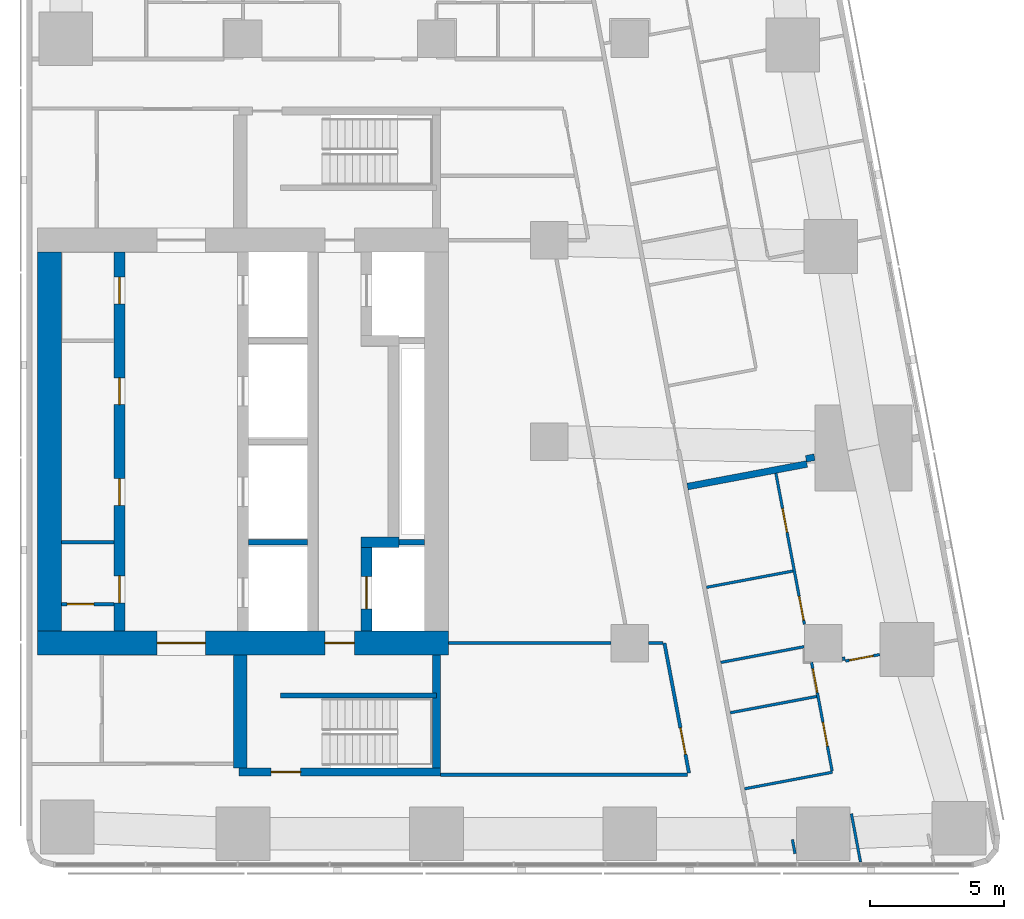
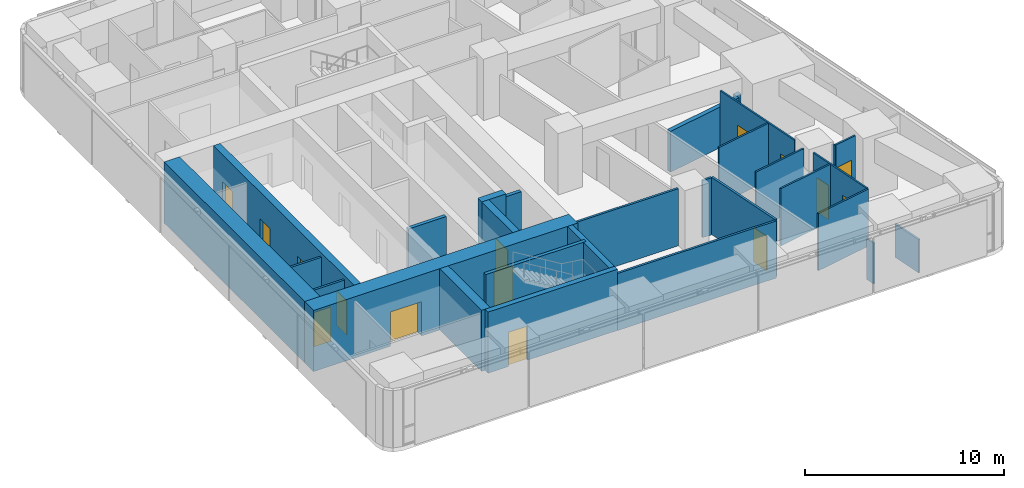
# One storey, part 5 of 10: 29 walls, 15 doors, 15 openings.
"""IFC4 building model written with IfcOpenShell, lengths in metres."""

from ifc_helpers import new_model, si_unit, direction, frame, frame_2d, origin, place, context, subcontext, project, spatial, rectangle, extrude, material, layer, layer_set, type_object, element, fill, save


model = new_model("IFC4")

# Units and contexts
model_context = context("Model", 3, precision=1e-05, world=origin(), true_north=direction((0.0, 1.0)))
body_context = subcontext(model_context, "Body", "Model", "MODEL_VIEW")
ifc_project = project(units=[si_unit("LENGTHUNIT", "METRE"), si_unit("AREAUNIT", "SQUARE_METRE"), si_unit("VOLUMEUNIT", "CUBIC_METRE"), si_unit("PLANEANGLEUNIT", "RADIAN"), si_unit("MASSUNIT", "GRAM", prefix="KILO")], contexts=[model_context])

# Site, building, storey
site_placement = place(None, origin())
site = spatial("IfcSite", under=ifc_project, at=site_placement, CompositionType="ELEMENT")
building_placement = place(site_placement, origin())
building = spatial("IfcBuilding", under=site, at=building_placement, Name="Sheger Commons Tower", CompositionType="ELEMENT")
storey_placement = place(building_placement, frame((0.0, 0.0, 289.10009765625)))
storey = spatial("IfcBuildingStorey", under=building, at=storey_placement, Name="L74", CompositionType="ELEMENT", Elevation=289.10009765625)

# Wall, openings, doors
ifc_material_1 = material(Name="Concrete C50/60", Category="concrete")
ifc_layer_1 = layer(ifc_material_1, 0.39990234375)
ifc_layer_set_1 = layer_set([ifc_layer_1], Name="CORE INNER WALL 400")
wall_type_1 = type_object("IfcWallType", Name="CORE INNER WALL 400", PredefinedType="SHEAR", material=ifc_layer_set_1)
wall_1_placement = place(storey_placement, frame((17.0, 15.449951171875, 0.0), z_axis=(0.0, 0.0, 1.0), x_axis=(0.0, 1.0, 0.0)))
wall_1 = element("IfcWall", 1, at=wall_1_placement, inside=storey, type_object=wall_type_1, Name="Core inner wall A L74", PredefinedType="SHEAR", context=body_context, shape_type="SweptSolid", body=[
    extrude(rectangle(XDim=14.10009765625, YDim=0.39990234375, at=frame_2d((7.050048828125, 0.0))), origin(), (0.0, 0.0, 1.0), 3.75),
])
opening_1_placement = place(wall_1_placement, frame((1.050048828125, 0.0, 0.0)))
opening_1 = element("IfcOpeningElement", 2, at=opening_1_placement, cuts=wall_1, Name="Opening D4", PredefinedType="OPENING", context=body_context, shape_type="SweptSolid", body=[
    extrude(rectangle(XDim=1.0, YDim=2.10009765625, at=frame_2d((0.5, 1.050048828125))), frame((0.0, 0.2099609375, 0.0), z_axis=(0.0, -1.0, 0.0), x_axis=(1.0, 0.0, 0.0)), (0.0, 0.0, 1.0), 0.419921875),
])
opening_2_placement = place(wall_1_placement, frame((4.675048828125, 0.0, 0.0)))
opening_2 = element("IfcOpeningElement", 3, at=opening_2_placement, cuts=wall_1, Name="Opening D4", PredefinedType="OPENING", context=body_context, shape_type="SweptSolid", body=[
    extrude(rectangle(XDim=1.0, YDim=2.10009765625, at=frame_2d((0.5, 1.050048828125))), frame((0.0, 0.2099609375, 0.0), z_axis=(0.0, -1.0, 0.0), x_axis=(1.0, 0.0, 0.0)), (0.0, 0.0, 1.0), 0.419921875),
])
opening_3_placement = place(wall_1_placement, frame((8.425048828125, 0.0, 0.0)))
opening_3 = element("IfcOpeningElement", 4, at=opening_3_placement, cuts=wall_1, Name="Opening D4", PredefinedType="OPENING", context=body_context, shape_type="SweptSolid", body=[
    extrude(rectangle(XDim=1.0, YDim=2.10009765625, at=frame_2d((0.5, 1.050048828125))), frame((0.0, 0.2099609375, 0.0), z_axis=(0.0, -1.0, 0.0), x_axis=(1.0, 0.0, 0.0)), (0.0, 0.0, 1.0), 0.419921875),
])
opening_4_placement = place(wall_1_placement, frame((12.175048828125, 0.0, 0.0)))
opening_4 = element("IfcOpeningElement", 5, at=opening_4_placement, cuts=wall_1, Name="Opening D4", PredefinedType="OPENING", context=body_context, shape_type="SweptSolid", body=[
    extrude(rectangle(XDim=1.0, YDim=2.10009765625, at=frame_2d((0.5, 1.050048828125))), frame((0.0, 0.2099609375, 0.0), z_axis=(0.0, -1.0, 0.0), x_axis=(1.0, 0.0, 0.0)), (0.0, 0.0, 1.0), 0.419921875),
])
ifc_material_2 = material(Name="Steel door set, fire rated", Category="steel")
door_type_1 = type_object("IfcDoorType", Name="SERVICE DOOR 1000x2100", OperationType="NOTDEFINED", PredefinedType="DOOR", material=ifc_material_2)
door_1_placement = place(opening_1_placement, origin())
door_1 = element("IfcDoor", 6, at=door_1_placement, inside=storey, type_object=door_type_1, Name="IT and telecom room door", OperationType="SINGLE_SWING_LEFT", OverallHeight=2.10009765625, OverallWidth=1.0, PredefinedType="DOOR", context=body_context, shape_type="SweptSolid", body=[
    extrude(rectangle(XDim=1.0, YDim=2.10009765625, at=frame_2d((0.5, 1.050048828125))), frame((0.0, 0.02490234375, 0.0), z_axis=(0.0, -1.0, 0.0), x_axis=(1.0, 0.0, 0.0)), (0.0, 0.0, 1.0), 0.050048828125),
])
fill(opening_1, door_1)
door_2_placement = place(opening_2_placement, origin())
door_2 = element("IfcDoor", 7, at=door_2_placement, inside=storey, type_object=door_type_1, Name="Recycling store door", OperationType="SINGLE_SWING_LEFT", OverallHeight=2.10009765625, OverallWidth=1.0, PredefinedType="DOOR", context=body_context, shape_type="SweptSolid", body=[
    extrude(rectangle(XDim=1.0, YDim=2.10009765625, at=frame_2d((0.5, 1.050048828125))), frame((0.0, 0.02490234375, 0.0), z_axis=(0.0, -1.0, 0.0), x_axis=(1.0, 0.0, 0.0)), (0.0, 0.0, 1.0), 0.050048828125),
])
fill(opening_2, door_2)
door_3_placement = place(opening_3_placement, origin())
door_3 = element("IfcDoor", 8, at=door_3_placement, inside=storey, type_object=door_type_1, Name="Recycling store door", OperationType="SINGLE_SWING_RIGHT", OverallHeight=2.10009765625, OverallWidth=1.0, PredefinedType="DOOR", context=body_context, shape_type="SweptSolid", body=[
    extrude(rectangle(XDim=1.0, YDim=2.10009765625, at=frame_2d((0.5, 1.050048828125))), frame((0.0, 0.02490234375, 0.0), z_axis=(0.0, -1.0, 0.0), x_axis=(1.0, 0.0, 0.0)), (0.0, 0.0, 1.0), 0.050048828125),
])
fill(opening_3, door_3)
door_4_placement = place(opening_4_placement, origin())
door_4 = element("IfcDoor", 9, at=door_4_placement, inside=storey, type_object=door_type_1, Name="Staff WC door", OperationType="SINGLE_SWING_RIGHT", OverallHeight=2.10009765625, OverallWidth=1.0, PredefinedType="DOOR", context=body_context, shape_type="SweptSolid", body=[
    extrude(rectangle(XDim=1.0, YDim=2.10009765625, at=frame_2d((0.5, 1.050048828125))), frame((0.0, 0.02490234375, 0.0), z_axis=(0.0, -1.0, 0.0), x_axis=(1.0, 0.0, 0.0)), (0.0, 0.0, 1.0), 0.050048828125),
])
fill(opening_4, door_4)

# Wall, opening, door
wall_2_placement = place(storey_placement, frame((26.199951171875, 15.449951171875, 0.0), z_axis=(0.0, 0.0, 1.0), x_axis=(0.0, 1.0, 0.0)))
wall_2 = element("IfcWall", 10, at=wall_2_placement, inside=storey, type_object=wall_type_1, Name="Core inner wall F L74", PredefinedType="SHEAR", context=body_context, shape_type="SweptSolid", body=[
    extrude(rectangle(XDim=3.10009765625, YDim=0.39990234375, at=frame_2d((1.550048828125, 0.0))), origin(), (0.0, 0.0, 1.0), 3.75),
])
opening_5_placement = place(wall_2_placement, frame((0.824951171875, 0.0, 0.0)))
opening_5 = element("IfcOpeningElement", 11, at=opening_5_placement, cuts=wall_2, Name="Opening LD2", PredefinedType="OPENING", context=body_context, shape_type="SweptSolid", body=[
    extrude(rectangle(XDim=1.199951171875, YDim=2.10009765625, at=frame_2d((0.60009765625, 1.050048828125))), frame((0.0, 0.2099609375, 0.0), z_axis=(0.0, -1.0, 0.0), x_axis=(1.0, 0.0, 0.0)), (0.0, 0.0, 1.0), 0.419921875),
])
ifc_material_3 = material(Name="Steel door set, fire rated", Category="steel")
door_type_2 = type_object("IfcDoorType", Name="FIREFIGHTING LIFT LANDING DOOR 1200x2100", OperationType="DOUBLE_DOOR_SLIDING", PredefinedType="DOOR", material=ifc_material_3)
door_5_placement = place(opening_5_placement, origin())
door_5 = element("IfcDoor", 12, at=door_5_placement, inside=storey, type_object=door_type_2, Name="Lift FL1 landing door", OperationType="DOUBLE_DOOR_SLIDING", OverallHeight=2.10009765625, OverallWidth=1.199951171875, PredefinedType="DOOR", context=body_context, shape_type="SweptSolid", body=[
    extrude(rectangle(XDim=1.199951171875, YDim=2.10009765625, at=frame_2d((0.60009765625, 1.050048828125))), frame((0.0, 0.02490234375, 0.0), z_axis=(0.0, -1.0, 0.0), x_axis=(1.0, 0.0, 0.0)), (0.0, 0.0, 1.0), 0.050048828125),
])
fill(opening_5, door_5)

# Wall
wall_3_placement = place(storey_placement, frame((26.0, 18.75, 0.0), z_axis=(0.0, 0.0, 1.0), x_axis=(1.0, 0.0, 0.0)))
element("IfcWall", 13, at=wall_3_placement, inside=storey, type_object=wall_type_1, Name="Core inner wall F south return L74", PredefinedType="SHEAR", context=body_context, shape_type="SweptSolid", body=[
    extrude(rectangle(XDim=1.39990234375, YDim=0.39990234375, at=frame_2d((0.699951171875, 0.0))), origin(), (0.0, 0.0, 1.0), 3.75),
])

# Wall, openings, doors
ifc_material_4 = material(Name="Concrete C50/60", Category="concrete")
ifc_layer_2 = layer(ifc_material_4, 0.89990234375)
ifc_layer_set_2 = layer_set([ifc_layer_2], Name="CORE WALL 900")
wall_type_2 = type_object("IfcWallType", Name="CORE WALL 900", PredefinedType="SHEAR", material=ifc_layer_set_2)
wall_4_placement = place(storey_placement, frame((13.949951171875, 15.0, 0.0), z_axis=(0.0, 0.0, 1.0), x_axis=(1.0, 0.0, 0.0)))
wall_4 = element("IfcWall", 14, at=wall_4_placement, inside=storey, type_object=wall_type_2, Name="Core wall south L74", PredefinedType="SHEAR", context=body_context, shape_type="SweptSolid", body=[
    extrude(rectangle(XDim=15.300048828125, YDim=0.89990234375, at=frame_2d((7.64990234375, 0.0))), origin(), (0.0, 0.0, 1.0), 3.75),
])
opening_6_placement = place(wall_4_placement, frame((4.449951171875, 0.0, 0.0)))
opening_6 = element("IfcOpeningElement", 15, at=opening_6_placement, cuts=wall_4, Name="Opening D6", PredefinedType="OPENING", context=body_context, shape_type="SweptSolid", body=[
    extrude(rectangle(XDim=1.800048828125, YDim=2.10009765625, at=frame_2d((0.89990234375, 1.050048828125))), frame((0.0, 0.4599609375, 0.0), z_axis=(0.0, -1.0, 0.0), x_axis=(1.0, 0.0, 0.0)), (0.0, 0.0, 1.0), 0.919921875),
])
opening_7_placement = place(wall_4_placement, frame((10.699951171875, 0.0, 0.0)))
opening_7 = element("IfcOpeningElement", 16, at=opening_7_placement, cuts=wall_4, Name="Opening D5", PredefinedType="OPENING", context=body_context, shape_type="SweptSolid", body=[
    extrude(rectangle(XDim=1.10009765625, YDim=2.10009765625, at=frame_2d((0.550048828125, 1.050048828125))), frame((0.0, 0.4599609375, 0.0), z_axis=(0.0, -1.0, 0.0), x_axis=(1.0, 0.0, 0.0)), (0.0, 0.0, 1.0), 0.919921875),
])
ifc_material_5 = material(Name="Steel door set, fire rated", Category="steel")
door_type_3 = type_object("IfcDoorType", Name="LOBBY DOUBLE DOOR 1800x2100", OperationType="DOUBLE_DOOR_SINGLE_SWING", PredefinedType="DOOR", material=ifc_material_5)
door_6_placement = place(opening_6_placement, origin())
door_6 = element("IfcDoor", 17, at=door_6_placement, inside=storey, type_object=door_type_3, Name="Lift lobby door", OperationType="DOUBLE_DOOR_SINGLE_SWING", OverallHeight=2.10009765625, OverallWidth=1.800048828125, PredefinedType="DOOR", context=body_context, shape_type="SweptSolid", body=[
    extrude(rectangle(XDim=1.800048828125, YDim=2.10009765625, at=frame_2d((0.89990234375, 1.050048828125))), frame((0.0, 0.02490234375, 0.0), z_axis=(0.0, -1.0, 0.0), x_axis=(1.0, 0.0, 0.0)), (0.0, 0.0, 1.0), 0.050048828125),
])
fill(opening_6, door_6)
ifc_material_6 = material(Name="Steel door set, fire rated", Category="steel")
door_type_4 = type_object("IfcDoorType", Name="STAIR DOOR 1100x2100", OperationType="NOTDEFINED", PredefinedType="DOOR", material=ifc_material_6)
door_7_placement = place(opening_7_placement, origin())
door_7 = element("IfcDoor", 18, at=door_7_placement, inside=storey, type_object=door_type_4, Name="Fire-fighting lobby door", OperationType="SINGLE_SWING_RIGHT", OverallHeight=2.10009765625, OverallWidth=1.10009765625, PredefinedType="DOOR", context=body_context, shape_type="SweptSolid", body=[
    extrude(rectangle(XDim=1.10009765625, YDim=2.10009765625, at=frame_2d((0.550048828125, 1.050048828125))), frame((0.0, 0.02490234375, 0.0), z_axis=(0.0, -1.0, 0.0), x_axis=(1.0, 0.0, 0.0)), (0.0, 0.0, 1.0), 0.050048828125),
])
fill(opening_7, door_7)

# Walls
wall_5_placement = place(storey_placement, frame((14.39990234375, 15.449951171875, 0.0), z_axis=(0.0, 0.0, 1.0), x_axis=(0.0, 1.0, 0.0)))
element("IfcWall", 19, at=wall_5_placement, inside=storey, type_object=wall_type_2, Name="Core wall west L74", PredefinedType="SHEAR", context=body_context, shape_type="SweptSolid", body=[
    extrude(rectangle(XDim=14.10009765625, YDim=0.89990234375, at=frame_2d((7.050048828125, 0.0))), origin(), (0.0, 0.0, 1.0), 3.75),
])
ifc_material_7 = material(Name="Dense concrete block masonry, plastered both sides (separating wall between flats)", Category="masonry")
ifc_layer_3 = layer(ifc_material_7, 0.25)
ifc_layer_set_3 = layer_set([ifc_layer_3], Name="DEMISING WALL 250")
wall_type_3 = type_object("IfcWallType", Name="DEMISING WALL 250", PredefinedType="SOLIDWALL", material=ifc_layer_set_3)
wall_6_placement = place(storey_placement, frame((42.873046875, 21.91796875, 0.0), z_axis=(0.0, 0.0, 1.0), x_axis=(-0.982431406936, -0.186624035603, 0.0)))
element("IfcWall", 20, at=wall_6_placement, inside=storey, type_object=wall_type_3, Name="Demising wall L74", PredefinedType="SOLIDWALL", context=body_context, shape_type="SweptSolid", body=[
    extrude(rectangle(XDim=0.32177734375, YDim=0.25, at=frame_2d((0.160888671875, 0.0))), origin(), (0.0, 0.0, 1.0), 2.5),
])
wall_7_placement = place(storey_placement, frame((42.593017578125, 21.6650390625, 0.0), z_axis=(0.0, 0.0, 1.0), x_axis=(-0.982612837616, -0.185666398014, 0.0)))
element("IfcWall", 21, at=wall_7_placement, inside=storey, type_object=wall_type_3, Name="Demising wall L74", PredefinedType="SOLIDWALL", context=body_context, shape_type="SweptSolid", body=[
    extrude(rectangle(XDim=4.524658203125, YDim=0.25, at=frame_2d((2.26220703125, 0.0))), origin(), (0.0, 0.0, 1.0), 2.5),
])
ifc_material_8 = material(Name="Gypsum board on steel studs", Category="steel")
ifc_layer_4 = layer(ifc_material_8, 0.10009765625)
ifc_layer_set_4 = layer_set([ifc_layer_4], Name="PARTITION 100")
wall_type_4 = type_object("IfcWallType", Name="PARTITION 100", PredefinedType="PARTITIONING", material=ifc_layer_set_4)
wall_8_placement = place(storey_placement, frame((44.248046875, 8.64599609375, 0.0), z_axis=(0.0, 0.0, 1.0), x_axis=(0.185417594585, -0.982659816833, 0.0)))
element("IfcWall", 22, at=wall_8_placement, inside=storey, type_object=wall_type_4, Name="Partition L74", PredefinedType="PARTITIONING", context=body_context, shape_type="SweptSolid", body=[
    extrude(rectangle(XDim=1.82763671875, YDim=0.10009765625, at=frame_2d((0.913818359375, 0.0))), origin(), (0.0, 0.0, 1.0), 2.0498046875),
])
wall_9_placement = place(storey_placement, frame((42.15087890625, 7.159912109375, 0.0), z_axis=(0.0, 0.0, 1.0), x_axis=(-0.185366164644, 0.982669519729, 0.0)))
element("IfcWall", 23, at=wall_9_placement, inside=storey, type_object=wall_type_4, Name="Partition L74", PredefinedType="PARTITIONING", context=body_context, shape_type="SweptSolid", body=[
    extrude(rectangle(XDim=0.533447265625, YDim=0.10009765625, at=frame_2d((0.2666015625, 0.0))), origin(), (0.0, 0.0, 1.0), 2.5),
])

# Wall, opening, door
wall_10_placement = place(storey_placement, frame((45.303955078125, 14.572021484375, 0.0), z_axis=(0.0, 0.0, 1.0), x_axis=(-0.982602741717, -0.185719821156, 0.0)))
wall_10 = element("IfcWall", 24, at=wall_10_placement, inside=storey, type_object=wall_type_4, Name="Partition L74", PredefinedType="PARTITIONING", context=body_context, shape_type="SweptSolid", body=[
    extrude(rectangle(XDim=1.29736328125, YDim=0.10009765625, at=frame_2d((0.648681640625, 0.0))), origin(), (0.0, 0.0, 1.0), 3.5),
])
opening_8_placement = place(wall_10_placement, frame((0.248046875, 0.0, 0.0)))
opening_8 = element("IfcOpeningElement", 25, at=opening_8_placement, cuts=wall_10, Name="Opening D2", PredefinedType="OPENING", context=body_context, shape_type="SweptSolid", body=[
    extrude(rectangle(XDim=0.89990234375, YDim=2.10009765625, at=frame_2d((0.449951171875, 1.050048828125))), frame((0.0, 0.06005859375, 0.0), z_axis=(0.0, -1.0, 0.0), x_axis=(1.0, 0.0, 0.0)), (0.0, 0.0, 1.0), 0.1201171875),
])
ifc_material_9 = material(Name="Timber door set", Category="wood")
door_type_5 = type_object("IfcDoorType", Name="INTERNAL DOOR 900x2100", OperationType="NOTDEFINED", PredefinedType="DOOR", material=ifc_material_9)
door_8_placement = place(opening_8_placement, origin())
door_8 = element("IfcDoor", 26, at=door_8_placement, inside=storey, type_object=door_type_5, Name="Main bedroom door", OperationType="SINGLE_SWING_LEFT", OverallHeight=2.10009765625, OverallWidth=0.89990234375, PredefinedType="DOOR", context=body_context, shape_type="SweptSolid", body=[
    extrude(rectangle(XDim=0.89990234375, YDim=2.10009765625, at=frame_2d((0.449951171875, 1.050048828125))), frame((0.0, 0.02490234375, 0.0), z_axis=(0.0, -1.0, 0.0), x_axis=(1.0, 0.0, 0.0)), (0.0, 0.0, 1.0), 0.050048828125),
])
fill(opening_8, door_8)

# Walls
wall_11_placement = place(storey_placement, frame((43.948974609375, 14.485107421875, 0.0), z_axis=(0.0, 0.0, 1.0), x_axis=(0.188651210932, -0.982044154106, 0.0)))
element("IfcWall", 27, at=wall_11_placement, inside=storey, type_object=wall_type_4, Name="Partition L74", PredefinedType="PARTITIONING", context=body_context, shape_type="SweptSolid", body=[
    extrude(rectangle(XDim=0.138427734375, YDim=0.10009765625, at=frame_2d((0.0693359375, 0.0))), origin(), (0.0, 0.0, 1.0), 3.5),
])
wall_12_placement = place(storey_placement, frame((42.072998046875, 17.681884765625, 0.0), z_axis=(0.0, 0.0, 1.0), x_axis=(-0.982620626894, -0.185625169636, 0.0)))
element("IfcWall", 28, at=wall_12_placement, inside=storey, type_object=wall_type_4, Name="Partition L74", PredefinedType="PARTITIONING", context=body_context, shape_type="SweptSolid", body=[
    extrude(rectangle(XDim=3.27490234375, YDim=0.10009765625, at=frame_2d((1.637451171875, 0.0))), origin(), (0.0, 0.0, 1.0), 3.5),
])
wall_13_placement = place(storey_placement, frame((42.489990234375, 14.865966796875, 0.0), z_axis=(0.0, 0.0, 1.0), x_axis=(-0.982621285075, -0.185621685472, 0.0)))
element("IfcWall", 29, at=wall_13_placement, inside=storey, type_object=wall_type_4, Name="Partition L74", PredefinedType="PARTITIONING", context=body_context, shape_type="SweptSolid", body=[
    extrude(rectangle(XDim=3.161865234375, YDim=0.10009765625, at=frame_2d((1.5810546875, 0.0))), origin(), (0.0, 0.0, 1.0), 3.5),
])
wall_14_placement = place(storey_placement, frame((42.9560546875, 13.011962890625, 0.0), z_axis=(0.0, 0.0, 1.0), x_axis=(-0.982630897129, -0.185570795135, 0.0)))
element("IfcWall", 30, at=wall_14_placement, inside=storey, type_object=wall_type_4, Name="Partition L74", PredefinedType="PARTITIONING", context=body_context, shape_type="SweptSolid", body=[
    extrude(rectangle(XDim=3.27587890625, YDim=0.10009765625, at=frame_2d((1.637939453125, 0.0))), origin(), (0.0, 0.0, 1.0), 3.5),
])
wall_15_placement = place(storey_placement, frame((43.5390625, 10.19189453125, 0.0), z_axis=(0.0, 0.0, 1.0), x_axis=(-0.982633623707, -0.185556356831, 0.0)))
element("IfcWall", 31, at=wall_15_placement, inside=storey, type_object=wall_type_4, Name="Partition L74", PredefinedType="PARTITIONING", context=body_context, shape_type="SweptSolid", body=[
    extrude(rectangle(XDim=3.324951171875, YDim=0.10009765625, at=frame_2d((1.66259765625, 0.0))), origin(), (0.0, 0.0, 1.0), 3.5),
])

# Wall, openings, doors
wall_16_placement = place(storey_placement, frame((41.43701171875, 21.319091796875, 0.0), z_axis=(0.0, 0.0, 1.0), x_axis=(0.185742368638, -0.982598479794, 0.0)))
wall_16 = element("IfcWall", 32, at=wall_16_placement, inside=storey, type_object=wall_type_4, Name="Partition L74", PredefinedType="PARTITIONING", context=body_context, shape_type="SweptSolid", body=[
    extrude(rectangle(XDim=5.7177734375, YDim=0.10009765625, at=frame_2d((2.85888671875, 0.0))), origin(), (0.0, 0.0, 1.0), 3.5),
])
opening_9_placement = place(wall_16_placement, frame((1.3330078125, 0.0, 0.0)))
opening_9 = element("IfcOpeningElement", 33, at=opening_9_placement, cuts=wall_16, Name="Opening D2", PredefinedType="OPENING", context=body_context, shape_type="SweptSolid", body=[
    extrude(rectangle(XDim=0.89990234375, YDim=2.10009765625, at=frame_2d((0.449951171875, 1.050048828125))), frame((0.0, 0.06005859375, 0.0), z_axis=(0.0, -1.0, 0.0), x_axis=(1.0, 0.0, 0.0)), (0.0, 0.0, 1.0), 0.1201171875),
])
opening_10_placement = place(wall_16_placement, frame((4.6640625, 0.0, 0.0)))
opening_10 = element("IfcOpeningElement", 34, at=opening_10_placement, cuts=wall_16, Name="Opening D2", PredefinedType="OPENING", context=body_context, shape_type="SweptSolid", body=[
    extrude(rectangle(XDim=0.89990234375, YDim=2.10009765625, at=frame_2d((0.449951171875, 1.050048828125))), frame((0.0, 0.06005859375, 0.0), z_axis=(0.0, -1.0, 0.0), x_axis=(1.0, 0.0, 0.0)), (0.0, 0.0, 1.0), 0.1201171875),
])
door_9_placement = place(opening_9_placement, origin())
door_9 = element("IfcDoor", 35, at=door_9_placement, inside=storey, type_object=door_type_5, Name="En-suite door", OperationType="SINGLE_SWING_RIGHT", OverallHeight=2.10009765625, OverallWidth=0.89990234375, PredefinedType="DOOR", context=body_context, shape_type="SweptSolid", body=[
    extrude(rectangle(XDim=0.89990234375, YDim=2.10009765625, at=frame_2d((0.449951171875, 1.050048828125))), frame((0.0, 0.02490234375, 0.0), z_axis=(0.0, -1.0, 0.0), x_axis=(1.0, 0.0, 0.0)), (0.0, 0.0, 1.0), 0.050048828125),
])
fill(opening_9, door_9)
door_10_placement = place(opening_10_placement, origin())
door_10 = element("IfcDoor", 36, at=door_10_placement, inside=storey, type_object=door_type_5, Name="Dressing room door", OperationType="SINGLE_SWING_LEFT", OverallHeight=2.10009765625, OverallWidth=0.89990234375, PredefinedType="DOOR", context=body_context, shape_type="SweptSolid", body=[
    extrude(rectangle(XDim=0.89990234375, YDim=2.10009765625, at=frame_2d((0.449951171875, 1.050048828125))), frame((0.0, 0.02490234375, 0.0), z_axis=(0.0, -1.0, 0.0), x_axis=(1.0, 0.0, 0.0)), (0.0, 0.0, 1.0), 0.050048828125),
])
fill(opening_10, door_10)

wall_17_placement = place(storey_placement, frame((42.764892578125, 14.2900390625, 0.0), z_axis=(0.0, 0.0, 1.0), x_axis=(0.185679870644, -0.982610291844, 0.0)))
wall_17 = element("IfcWall", 37, at=wall_17_placement, inside=storey, type_object=wall_type_4, Name="Partition L74", PredefinedType="PARTITIONING", context=body_context, shape_type="SweptSolid", body=[
    extrude(rectangle(XDim=4.120849609375, YDim=0.10009765625, at=frame_2d((2.060546875, 0.0))), origin(), (0.0, 0.0, 1.0), 3.5),
])
opening_11_placement = place(wall_17_placement, frame((0.25, 0.0, 0.0)))
opening_11 = element("IfcOpeningElement", 38, at=opening_11_placement, cuts=wall_17, Name="Opening D2", PredefinedType="OPENING", context=body_context, shape_type="SweptSolid", body=[
    extrude(rectangle(XDim=0.89990234375, YDim=2.10009765625, at=frame_2d((0.449951171875, 1.050048828125))), frame((0.0, 0.06005859375, 0.0), z_axis=(0.0, -1.0, 0.0), x_axis=(1.0, 0.0, 0.0)), (0.0, 0.0, 1.0), 0.1201171875),
])
opening_12_placement = place(wall_17_placement, frame((2.280029296875, 0.0, 0.0)))
opening_12 = element("IfcOpeningElement", 39, at=opening_12_placement, cuts=wall_17, Name="Opening D2", PredefinedType="OPENING", context=body_context, shape_type="SweptSolid", body=[
    extrude(rectangle(XDim=0.89990234375, YDim=2.10009765625, at=frame_2d((0.449951171875, 1.050048828125))), frame((0.0, 0.06005859375, 0.0), z_axis=(0.0, -1.0, 0.0), x_axis=(1.0, 0.0, 0.0)), (0.0, 0.0, 1.0), 0.1201171875),
])
door_11_placement = place(opening_11_placement, origin())
door_11 = element("IfcDoor", 40, at=door_11_placement, inside=storey, type_object=door_type_5, Name="Bathroom door", OperationType="SINGLE_SWING_RIGHT", OverallHeight=2.10009765625, OverallWidth=0.89990234375, PredefinedType="DOOR", context=body_context, shape_type="SweptSolid", body=[
    extrude(rectangle(XDim=0.89990234375, YDim=2.10009765625, at=frame_2d((0.449951171875, 1.050048828125))), frame((0.0, 0.02490234375, 0.0), z_axis=(0.0, -1.0, 0.0), x_axis=(1.0, 0.0, 0.0)), (0.0, 0.0, 1.0), 0.050048828125),
])
fill(opening_11, door_11)
door_12_placement = place(opening_12_placement, origin())
door_12 = element("IfcDoor", 41, at=door_12_placement, inside=storey, type_object=door_type_5, Name="Kitchen door", OperationType="SINGLE_SWING_LEFT", OverallHeight=2.10009765625, OverallWidth=0.89990234375, PredefinedType="DOOR", context=body_context, shape_type="SweptSolid", body=[
    extrude(rectangle(XDim=0.89990234375, YDim=2.10009765625, at=frame_2d((0.449951171875, 1.050048828125))), frame((0.0, 0.02490234375, 0.0), z_axis=(0.0, -1.0, 0.0), x_axis=(1.0, 0.0, 0.0)), (0.0, 0.0, 1.0), 0.050048828125),
])
fill(opening_12, door_12)

# Wall
ifc_material_10 = material(Name="Gypsum board on steel studs, two layers each side, fire rated", Category="steel")
ifc_layer_5 = layer(ifc_material_10, 0.125)
ifc_layer_set_5 = layer_set([ifc_layer_5], Name="SERVICE WALL 125")
wall_type_5 = type_object("IfcWallType", Name="SERVICE WALL 125", PredefinedType="PARTITIONING", material=ifc_layer_set_5)
wall_18_placement = place(storey_placement, frame((28.949951171875, 10.10009765625, 0.0), z_axis=(0.0, 0.0, 1.0), x_axis=(1.0, 0.0, 0.0)))
element("IfcWall", 42, at=wall_18_placement, inside=storey, type_object=wall_type_5, Name="Service room wall L74", PredefinedType="PARTITIONING", context=body_context, shape_type="SweptSolid", body=[
    extrude(rectangle(XDim=9.18798828125, YDim=0.125, at=frame_2d((4.593994140625, 0.0))), origin(), (0.0, 0.0, 1.0), 3.5),
])

# Wall, opening, door
wall_19_placement = place(storey_placement, frame((38.201904296875, 10.1630859375, 0.0), z_axis=(0.0, 0.0, 1.0), x_axis=(-0.185641892853, 0.982617467593, 0.0)))
wall_19 = element("IfcWall", 43, at=wall_19_placement, inside=storey, type_object=wall_type_5, Name="Service room wall L74", PredefinedType="PARTITIONING", context=body_context, shape_type="SweptSolid", body=[
    extrude(rectangle(XDim=4.92236328125, YDim=0.125, at=frame_2d((2.461181640625, 0.0))), origin(), (0.0, 0.0, 1.0), 3.5),
])
opening_13_placement = place(wall_19_placement, frame((0.7080078125, 0.0, 0.0)))
opening_13 = element("IfcOpeningElement", 44, at=opening_13_placement, cuts=wall_19, Name="Opening D4", PredefinedType="OPENING", context=body_context, shape_type="SweptSolid", body=[
    extrude(rectangle(XDim=1.0, YDim=2.10009765625, at=frame_2d((0.5, 1.050048828125))), frame((0.0, 0.072509765625, 0.0), z_axis=(0.0, -1.0, 0.0), x_axis=(1.0, 0.0, 0.0)), (0.0, 0.0, 1.0), 0.14501953125),
])
door_13_placement = place(opening_13_placement, origin())
door_13 = element("IfcDoor", 45, at=door_13_placement, inside=storey, type_object=door_type_1, Name="Parcel and delivery room door", OperationType="SINGLE_SWING_LEFT", OverallHeight=2.10009765625, OverallWidth=1.0, PredefinedType="DOOR", context=body_context, shape_type="SweptSolid", body=[
    extrude(rectangle(XDim=1.0, YDim=2.10009765625, at=frame_2d((0.5, 1.050048828125))), frame((0.0, 0.02490234375, 0.0), z_axis=(0.0, -1.0, 0.0), x_axis=(1.0, 0.0, 0.0)), (0.0, 0.0, 1.0), 0.050048828125),
])
fill(opening_13, door_13)

# Walls
wall_20_placement = place(storey_placement, frame((29.25, 15.0, 0.0), z_axis=(0.0, 0.0, 1.0), x_axis=(1.0, 0.0, 0.0)))
element("IfcWall", 46, at=wall_20_placement, inside=storey, type_object=wall_type_5, Name="Service room wall L74", PredefinedType="PARTITIONING", context=body_context, shape_type="SweptSolid", body=[
    extrude(rectangle(XDim=6.049072265625, YDim=0.125, at=frame_2d((3.0244140625, 0.0))), origin(), (0.0, 0.0, 1.0), 3.5),
])
wall_21_placement = place(storey_placement, frame((36.700927734375, 15.0, 0.0), z_axis=(0.0, 0.0, 1.0), x_axis=(1.0, 0.0, 0.0)))
element("IfcWall", 47, at=wall_21_placement, inside=storey, type_object=wall_type_5, Name="Service room wall L74", PredefinedType="PARTITIONING", context=body_context, shape_type="SweptSolid", body=[
    extrude(rectangle(XDim=0.526123046875, YDim=0.125, at=frame_2d((0.26318359375, 0.0))), origin(), (0.0, 0.0, 1.0), 3.5),
])

# Wall, opening, door
wall_22_placement = place(storey_placement, frame((14.85009765625, 16.449951171875, 0.0), z_axis=(0.0, 0.0, 1.0), x_axis=(1.0, 0.0, 0.0)))
wall_22 = element("IfcWall", 48, at=wall_22_placement, inside=storey, type_object=wall_type_5, Name="Service room wall L74", PredefinedType="PARTITIONING", context=body_context, shape_type="SweptSolid", body=[
    extrude(rectangle(XDim=1.949951171875, YDim=0.125, at=frame_2d((0.97509765625, 0.0))), origin(), (0.0, 0.0, 1.0), 3.5),
])
opening_14_placement = place(wall_22_placement, frame((0.199951171875, 0.0, 0.0)))
opening_14 = element("IfcOpeningElement", 49, at=opening_14_placement, cuts=wall_22, Name="Opening D4", PredefinedType="OPENING", context=body_context, shape_type="SweptSolid", body=[
    extrude(rectangle(XDim=1.0, YDim=2.10009765625, at=frame_2d((0.5, 1.050048828125))), frame((0.0, 0.072509765625, 0.0), z_axis=(0.0, -1.0, 0.0), x_axis=(1.0, 0.0, 0.0)), (0.0, 0.0, 1.0), 0.14501953125),
])
door_14_placement = place(opening_14_placement, origin())
door_14 = element("IfcDoor", 50, at=door_14_placement, inside=storey, type_object=door_type_1, Name="Electrical riser door", OperationType="SINGLE_SWING_RIGHT", OverallHeight=2.10009765625, OverallWidth=1.0, PredefinedType="DOOR", context=body_context, shape_type="SweptSolid", body=[
    extrude(rectangle(XDim=1.0, YDim=2.10009765625, at=frame_2d((0.5, 1.050048828125))), frame((0.0, 0.02490234375, 0.0), z_axis=(0.0, -1.0, 0.0), x_axis=(1.0, 0.0, 0.0)), (0.0, 0.0, 1.0), 0.050048828125),
])
fill(opening_14, door_14)

# Walls
wall_23_placement = place(storey_placement, frame((14.85009765625, 18.75, 0.0), z_axis=(0.0, 0.0, 1.0), x_axis=(1.0, 0.0, 0.0)))
element("IfcWall", 51, at=wall_23_placement, inside=storey, type_object=wall_type_5, Name="Service room wall L74", PredefinedType="PARTITIONING", context=body_context, shape_type="SweptSolid", body=[
    extrude(rectangle(XDim=1.949951171875, YDim=0.125, at=frame_2d((0.97509765625, 0.0))), origin(), (0.0, 0.0, 1.0), 3.5),
])
ifc_material_11 = material(Name="Hollow concrete block masonry", Category="masonry")
ifc_layer_6 = layer(ifc_material_11, 0.199951171875)
ifc_layer_set_6 = layer_set([ifc_layer_6], Name="SHAFT WALL 200")
wall_type_6 = type_object("IfcWallType", Name="SHAFT WALL 200", PredefinedType="SOLIDWALL", material=ifc_layer_set_6)
wall_24_placement = place(storey_placement, frame((21.800048828125, 18.75, 0.0), z_axis=(0.0, 0.0, 1.0), x_axis=(1.0, 0.0, 0.0)))
element("IfcWall", 52, at=wall_24_placement, inside=storey, type_object=wall_type_6, Name="Lift shaft wall L74", PredefinedType="SOLIDWALL", context=body_context, shape_type="SweptSolid", body=[
    extrude(rectangle(XDim=2.199951171875, YDim=0.199951171875, at=frame_2d((1.10009765625, 0.0))), origin(), (0.0, 0.0, 1.0), 3.5),
])
wall_25_placement = place(storey_placement, frame((27.39990234375, 18.75, 0.0), z_axis=(0.0, 0.0, 1.0), x_axis=(1.0, 0.0, 0.0)))
element("IfcWall", 53, at=wall_25_placement, inside=storey, type_object=wall_type_6, Name="Lift shaft wall L74", PredefinedType="SOLIDWALL", context=body_context, shape_type="SweptSolid", body=[
    extrude(rectangle(XDim=0.9501953125, YDim=0.199951171875, at=frame_2d((0.47509765625, 0.0))), origin(), (0.0, 0.0, 1.0), 3.5),
])

# Wall, opening, door
ifc_material_12 = material(Name="Concrete C50/60", Category="concrete")
ifc_layer_7 = layer(ifc_material_12, 0.300048828125)
ifc_layer_set_7 = layer_set([ifc_layer_7], Name="STAIR CORE WALL 300")
wall_type_7 = type_object("IfcWallType", Name="STAIR CORE WALL 300", PredefinedType="SHEAR", material=ifc_layer_set_7)
wall_26_placement = place(storey_placement, frame((21.449951171875, 10.199951171875, 0.0), z_axis=(0.0, 0.0, 1.0), x_axis=(1.0, 0.0, 0.0)))
wall_26 = element("IfcWall", 54, at=wall_26_placement, inside=storey, type_object=wall_type_7, Name="STW-L74-S1S", PredefinedType="SHEAR", context=body_context, shape_type="SweptSolid", body=[
    extrude(rectangle(XDim=7.5, YDim=0.300048828125, at=frame_2d((3.75, 0.0))), origin(), (0.0, 0.0, 1.0), 3.75),
])
opening_15_placement = place(wall_26_placement, frame((1.199951171875, 0.0, 0.0)))
opening_15 = element("IfcOpeningElement", 55, at=opening_15_placement, cuts=wall_26, Name="Opening D5", PredefinedType="OPENING", context=body_context, shape_type="SweptSolid", body=[
    extrude(rectangle(XDim=1.10009765625, YDim=2.10009765625, at=frame_2d((0.550048828125, 1.050048828125))), frame((0.0, 0.159912109375, 0.0), z_axis=(0.0, -1.0, 0.0), x_axis=(1.0, 0.0, 0.0)), (0.0, 0.0, 1.0), 0.320068359375),
])
door_15_placement = place(opening_15_placement, origin())
door_15 = element("IfcDoor", 56, at=door_15_placement, inside=storey, type_object=door_type_4, Name="Stair S1 door", OperationType="SINGLE_SWING_LEFT", OverallHeight=2.10009765625, OverallWidth=1.10009765625, PredefinedType="DOOR", context=body_context, shape_type="SweptSolid", body=[
    extrude(rectangle(XDim=1.10009765625, YDim=2.10009765625, at=frame_2d((0.550048828125, 1.050048828125))), frame((0.0, 0.02490234375, 0.0), z_axis=(0.0, -1.0, 0.0), x_axis=(1.0, 0.0, 0.0)), (0.0, 0.0, 1.0), 0.050048828125),
])
fill(opening_15, door_15)

# Walls
wall_27_placement = place(storey_placement, frame((28.800048828125, 10.35009765625, 0.0), z_axis=(0.0, 0.0, 1.0), x_axis=(0.0, 1.0, 0.0)))
element("IfcWall", 57, at=wall_27_placement, inside=storey, type_object=wall_type_7, Name="STW-L74-S1E", PredefinedType="SHEAR", context=body_context, shape_type="SweptSolid", body=[
    extrude(rectangle(XDim=4.199951171875, YDim=0.300048828125, at=frame_2d((2.10009765625, 0.0))), origin(), (0.0, 0.0, 1.0), 3.75),
])
ifc_material_13 = material(Name="Concrete C50/60", Category="concrete")
ifc_layer_8 = layer(ifc_material_13, 0.5)
ifc_layer_set_8 = layer_set([ifc_layer_8], Name="STAIR CORE WALL 500")
wall_type_8 = type_object("IfcWallType", Name="STAIR CORE WALL 500", PredefinedType="SHEAR", material=ifc_layer_set_8)
wall_28_placement = place(storey_placement, frame((21.5, 10.35009765625, 0.0), z_axis=(0.0, 0.0, 1.0), x_axis=(0.0, 1.0, 0.0)))
element("IfcWall", 58, at=wall_28_placement, inside=storey, type_object=wall_type_8, Name="STW-L74-S1W", PredefinedType="SHEAR", context=body_context, shape_type="SweptSolid", body=[
    extrude(rectangle(XDim=4.199951171875, YDim=0.5, at=frame_2d((2.10009765625, 0.0))), origin(), (0.0, 0.0, 1.0), 3.75),
])
ifc_material_14 = material(Name="Concrete C50/60", Category="concrete")
ifc_layer_9 = layer(ifc_material_14, 0.199951171875)
ifc_layer_set_9 = layer_set([ifc_layer_9], Name="STAIR SPINE WALL 200")
wall_type_9 = type_object("IfcWallType", Name="STAIR SPINE WALL 200", PredefinedType="SHEAR", material=ifc_layer_set_9)
wall_29_placement = place(storey_placement, frame((23.0, 13.050048828125, 0.0), z_axis=(0.0, 0.0, 1.0), x_axis=(1.0, 0.0, 0.0)))
element("IfcWall", 59, at=wall_29_placement, inside=storey, type_object=wall_type_9, Name="Stair spine wall L74", PredefinedType="SHEAR", context=body_context, shape_type="SweptSolid", body=[
    extrude(rectangle(XDim=5.800048828125, YDim=0.199951171875, at=frame_2d((2.89990234375, 0.0))), origin(), (0.0, 0.0, 1.0), 3.75),
])

save(model, "model.ifc")
